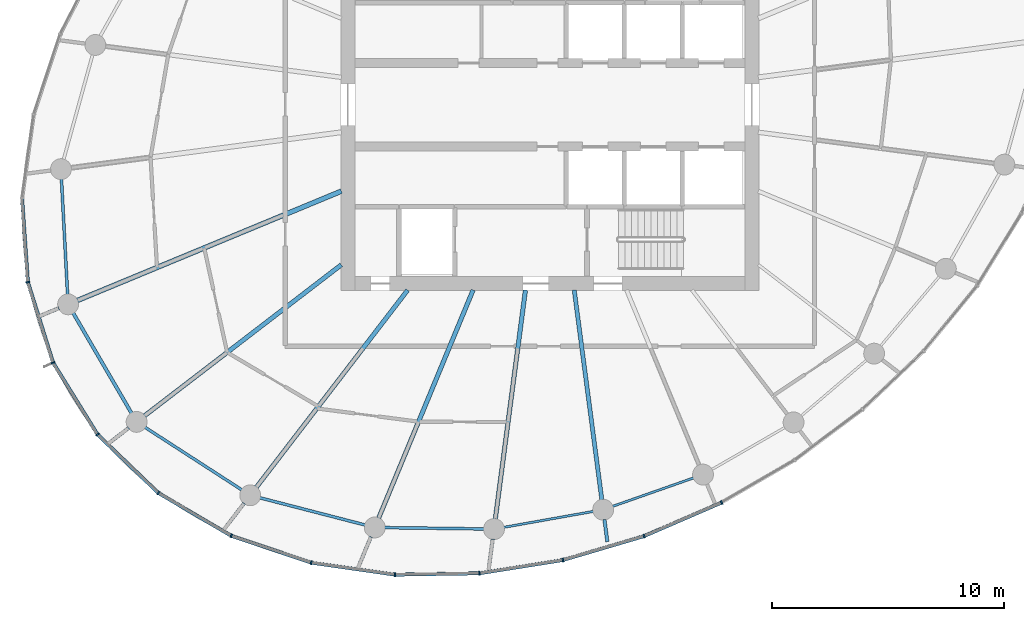
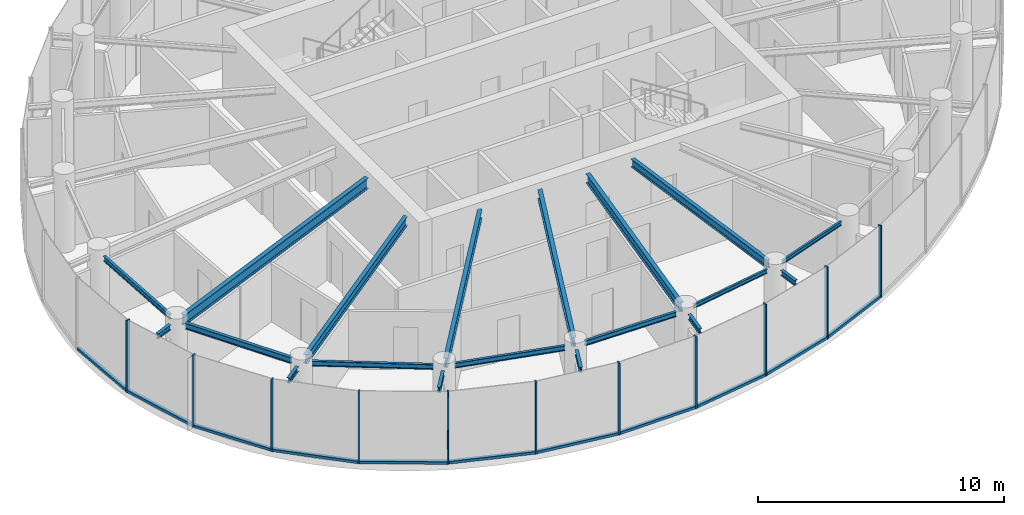
# One storey, part 2 of 15: 22 members, 19 beams, 3 elements without a shape of their own.
"""IFC4 building model written with IfcOpenShell, lengths in metres."""

from ifc_helpers import new_model, si_unit, direction, frame, origin, origin_2d, place, context, subcontext, project, spatial, rectangle, i_section, extrude, source, transform, mapped, material, layer, layer_set, material_profile, profile_set, type_object, element, aggregate, save


model = new_model("IFC4")

# Units and contexts
model_context = context("Model", 3, precision=1e-05, world=origin(), true_north=direction((0.0, 1.0)))
body_context = subcontext(model_context, "Body", "Model", "MODEL_VIEW")
ifc_project = project(units=[si_unit("LENGTHUNIT", "METRE"), si_unit("AREAUNIT", "SQUARE_METRE"), si_unit("VOLUMEUNIT", "CUBIC_METRE"), si_unit("PLANEANGLEUNIT", "RADIAN"), si_unit("MASSUNIT", "GRAM", prefix="KILO")], contexts=[model_context])

# Site, building, storey
site_placement = place(None, origin())
site = spatial("IfcSite", under=ifc_project, at=site_placement, CompositionType="ELEMENT")
building_placement = place(site_placement, origin())
building = spatial("IfcBuilding", under=site, at=building_placement, Name="Spindrift Exchange Tower", CompositionType="ELEMENT")
storey_placement = place(building_placement, frame((0.0, 0.0, 199.39990234375)))
storey = spatial("IfcBuildingStorey", under=building, at=storey_placement, Name="L48", CompositionType="ELEMENT", Elevation=199.39990234375)

# Beams
ifc_material_1 = material(Name="Steel Grade 300", Category="steel")
ifc_material_profile_1 = material_profile(ifc_material_1, i_section(OverallWidth=0.14599609375, OverallDepth=0.251953125, WebThickness=0.006103515625, FlangeThickness=0.008544921875, FilletRadius=0.011962890625, at=origin_2d()), Name="250UB31.4")
ifc_profile_set_1 = profile_set([ifc_material_profile_1], Name="Steel Grade 300")
beam_type_1 = type_object("IfcBeamType", Name="Cantilever Beam 250UB31.4 Steel Grade 300", PredefinedType="BEAM", material=ifc_profile_set_1)
shared_shape_1 = source(origin(), body_context, "Body", "SweptSolid", [
    extrude(i_section(OverallWidth=0.14599609375, OverallDepth=0.251953125, WebThickness=0.006103515625, FlangeThickness=0.008544921875, FilletRadius=0.011962890625, at=origin_2d()), origin(), (0.0, 0.0, 1.0), 0.95166015625),
])
beam_1_placement = place(storey_placement, frame((33.856689453125, 34.078125, 3.4541015625), z_axis=(-0.793300680677, -0.608830050209, 0.0), x_axis=(0.608830050209, -0.793300680677, 0.0)))
element("IfcBeam", 1, at=beam_1_placement, inside=storey, type_object=beam_type_1, Name="L48 cantilever beam R15T", PredefinedType="BEAM", context=body_context, shape_type="MappedRepresentation", body=[
    mapped(shared_shape_1, transform((0.0, 0.0, 0.0), scale=1.0)),
])
shared_shape_2 = source(origin(), body_context, "Body", "SweptSolid", [
    extrude(i_section(OverallWidth=0.14599609375, OverallDepth=0.251953125, WebThickness=0.006103515625, FlangeThickness=0.008544921875, FilletRadius=0.011962890625, at=origin_2d()), origin(), (0.0, 0.0, 1.0), 0.859619140625),
])
beam_2_placement = place(storey_placement, frame((30.849609375, 39.2392578125, 3.4541015625), z_axis=(-0.923923380362, -0.382577557131, 0.0), x_axis=(0.382577557131, -0.923923380362, 0.0)))
element("IfcBeam", 2, at=beam_2_placement, inside=storey, type_object=beam_type_1, Name="L48 cantilever beam R14T", PredefinedType="BEAM", context=body_context, shape_type="MappedRepresentation", body=[
    mapped(shared_shape_2, transform((0.0, 0.0, 0.0), scale=1.0)),
])
ifc_material_profile_2 = material_profile(ifc_material_1, i_section(OverallWidth=0.208984375, OverallDepth=0.528076171875, WebThickness=0.009521484375, FlangeThickness=0.01318359375, FilletRadius=0.013916015625, at=origin_2d()), Name="530UB82.0")
ifc_profile_set_2 = profile_set([ifc_material_profile_2], Name="Steel Grade 300")
beam_type_2 = type_object("IfcBeamType", Name="Floor Beam 530UB82.0 Steel Grade 300", PredefinedType="BEAM", material=ifc_profile_set_2)
shared_shape_3 = source(origin(), body_context, "Body", "SweptSolid", [
    extrude(i_section(OverallWidth=0.208984375, OverallDepth=0.528076171875, WebThickness=0.009521484375, FlangeThickness=0.01318359375, FilletRadius=0.013916015625, at=origin_2d()), origin(), (0.0, 0.0, 1.0), 12.3115234375),
])
beam_3_placement = place(storey_placement, frame((43.0185546875, 44.27978515625, 3.316162109375), z_axis=(-0.923878099838, -0.382686891126, 0.0), x_axis=(0.382686891126, -0.923878099838, 0.0)))
element("IfcBeam", 3, at=beam_3_placement, inside=storey, type_object=beam_type_2, Name="L48 radial beam R14A", PredefinedType="BEAM", context=body_context, shape_type="MappedRepresentation", body=[
    mapped(shared_shape_3, transform((0.0, 0.0, 0.0), scale=1.0)),
])
ifc_material_profile_3 = material_profile(ifc_material_1, i_section(OverallWidth=0.18994140625, OverallDepth=0.4541015625, WebThickness=0.008544921875, FlangeThickness=0.0126953125, FilletRadius=0.013916015625, at=origin_2d()), Name="460UB67.1")
ifc_profile_set_3 = profile_set([ifc_material_profile_3], Name="Steel Grade 300")
beam_type_3 = type_object("IfcBeamType", Name="Floor Beam 460UB67.1 Steel Grade 300", PredefinedType="BEAM", material=ifc_profile_set_3)
shared_shape_4 = source(origin(), body_context, "Body", "SweptSolid", [
    extrude(i_section(OverallWidth=0.18994140625, OverallDepth=0.4541015625, WebThickness=0.008544921875, FlangeThickness=0.0126953125, FilletRadius=0.013916015625, at=origin_2d()), origin(), (0.0, 0.0, 1.0), 10.684814453125),
])
beam_4_placement = place(storey_placement, frame((43.015869140625, 41.106201171875, 3.35302734375), z_axis=(-0.793357316898, -0.608756246559, 0.0), x_axis=(0.608756246559, -0.793357316898, 0.0)))
element("IfcBeam", 4, at=beam_4_placement, inside=storey, type_object=beam_type_3, Name="L48 radial beam R15A", PredefinedType="BEAM", context=body_context, shape_type="MappedRepresentation", body=[
    mapped(shared_shape_4, transform((0.0, 0.0, 0.0), scale=1.0)),
])
shared_shape_5 = source(origin(), body_context, "Body", "SweptSolid", [
    extrude(i_section(OverallWidth=0.18994140625, OverallDepth=0.4541015625, WebThickness=0.008544921875, FlangeThickness=0.0126953125, FilletRadius=0.013916015625, at=origin_2d()), origin(), (0.0, 0.0, 1.0), 10.711181640625),
])
beam_5_placement = place(storey_placement, frame((45.87353515625, 40.015869140625, 3.35302734375), z_axis=(-0.608756401092, -0.793357198322, 0.0), x_axis=(0.793357198322, -0.608756401092, 0.0)))
element("IfcBeam", 5, at=beam_5_placement, inside=storey, type_object=beam_type_3, Name="L48 radial beam R16A", PredefinedType="BEAM", context=body_context, shape_type="MappedRepresentation", body=[
    mapped(shared_shape_5, transform((0.0, 0.0, 0.0), scale=1.0)),
])
shared_shape_6 = source(origin(), body_context, "Body", "SweptSolid", [
    extrude(i_section(OverallWidth=0.18994140625, OverallDepth=0.4541015625, WebThickness=0.008544921875, FlangeThickness=0.0126953125, FilletRadius=0.013916015625, at=origin_2d()), origin(), (0.0, 0.0, 1.0), 10.64111328125),
])
beam_6_placement = place(storey_placement, frame((48.69384765625, 40.0185546875, 3.35302734375), z_axis=(-0.382672627597, -0.923884007919, 0.0), x_axis=(0.923884007919, -0.382672627597, 0.0)))
element("IfcBeam", 6, at=beam_6_placement, inside=storey, type_object=beam_type_3, Name="L48 radial beam R17A", PredefinedType="BEAM", context=body_context, shape_type="MappedRepresentation", body=[
    mapped(shared_shape_6, transform((0.0, 0.0, 0.0), scale=1.0)),
])
shared_shape_7 = source(origin(), body_context, "Body", "SweptSolid", [
    extrude(i_section(OverallWidth=0.18994140625, OverallDepth=0.4541015625, WebThickness=0.008544921875, FlangeThickness=0.0126953125, FilletRadius=0.013916015625, at=origin_2d()), origin(), (0.0, 0.0, 1.0), 9.95703125),
])
beam_7_placement = place(storey_placement, frame((50.949462890625, 40.019775390625, 3.35302734375), z_axis=(-0.130541406635, -0.991442858239, 0.0), x_axis=(0.991442858239, -0.130541406635, 0.0)))
element("IfcBeam", 7, at=beam_7_placement, inside=storey, type_object=beam_type_3, Name="L48 radial beam R18A", PredefinedType="BEAM", context=body_context, shape_type="MappedRepresentation", body=[
    mapped(shared_shape_7, transform((0.0, 0.0, 0.0), scale=1.0)),
])
ifc_material_profile_4 = material_profile(ifc_material_1, i_section(OverallWidth=0.177978515625, OverallDepth=0.403076171875, WebThickness=0.007568359375, FlangeThickness=0.010986328125, FilletRadius=0.013916015625, at=origin_2d()), Name="410UB53.7")
ifc_profile_set_4 = profile_set([ifc_material_profile_4], Name="Steel Grade 300")
beam_type_4 = type_object("IfcBeamType", Name="Floor Beam 410UB53.7 Steel Grade 300", PredefinedType="BEAM", material=ifc_profile_set_4)
shared_shape_8 = source(origin(), body_context, "Body", "SweptSolid", [
    extrude(i_section(OverallWidth=0.177978515625, OverallDepth=0.403076171875, WebThickness=0.007568359375, FlangeThickness=0.010986328125, FilletRadius=0.013916015625, at=origin_2d()), origin(), (0.0, 0.0, 1.0), 9.11376953125),
])
beam_8_placement = place(storey_placement, frame((53.050537109375, 40.019775390625, 3.378662109375), z_axis=(0.130536972606, -0.991443442049, 0.0), x_axis=(0.991443442049, 0.130536972606, 0.0)))
element("IfcBeam", 8, at=beam_8_placement, inside=storey, type_object=beam_type_4, Name="L48 radial beam R19A", PredefinedType="BEAM", context=body_context, shape_type="MappedRepresentation", body=[
    mapped(shared_shape_8, transform((0.0, 0.0, 0.0), scale=1.0)),
])
ifc_material_profile_5 = material_profile(ifc_material_1, i_section(OverallWidth=0.1240234375, OverallDepth=0.248046875, WebThickness=0.0048828125, FlangeThickness=0.008056640625, FilletRadius=0.011962890625, at=origin_2d()), Name="250UB25.7")
ifc_profile_set_5 = profile_set([ifc_material_profile_5], Name="Steel Grade 300")
beam_type_5 = type_object("IfcBeamType", Name="Edge Beam 250UB25.7 Steel Grade 300", PredefinedType="SPANDREL", material=ifc_profile_set_5)
shared_shape_9 = source(origin(), body_context, "Body", "SweptSolid", [
    extrude(i_section(OverallWidth=0.1240234375, OverallDepth=0.248046875, WebThickness=0.0048828125, FlangeThickness=0.008056640625, FilletRadius=0.011962890625, at=origin_2d()), origin(), (0.0, 0.0, 1.0), 4.971435546875),
])
beam_9_placement = place(storey_placement, frame((30.96044921875, 44.797607421875, 3.4560546875), z_axis=(0.053038255124, -0.998592481192, 0.0), x_axis=(0.998592481192, 0.053038255124, 0.0)))
element("IfcBeam", 9, at=beam_9_placement, inside=storey, type_object=beam_type_5, Name="L48 edge beam E13", PredefinedType="SPANDREL", context=body_context, shape_type="MappedRepresentation", body=[
    mapped(shared_shape_9, transform((0.0, 0.0, 0.0), scale=1.0)),
])
ifc_material_profile_6 = material_profile(ifc_material_1, i_section(OverallWidth=0.14892578125, OverallDepth=0.298095703125, WebThickness=0.005615234375, FlangeThickness=0.008056640625, FilletRadius=0.012939453125, at=origin_2d()), Name="310UB32.0")
ifc_profile_set_6 = profile_set([ifc_material_profile_6], Name="Steel Grade 300")
beam_type_6 = type_object("IfcBeamType", Name="Edge Beam 310UB32.0 Steel Grade 300", PredefinedType="SPANDREL", material=ifc_profile_set_6)
shared_shape_10 = source(origin(), body_context, "Body", "SweptSolid", [
    extrude(i_section(OverallWidth=0.14892578125, OverallDepth=0.298095703125, WebThickness=0.005615234375, FlangeThickness=0.008056640625, FilletRadius=0.012939453125, at=origin_2d()), origin(), (0.0, 0.0, 1.0), 5.0009765625),
])
beam_10_placement = place(storey_placement, frame((31.46337890625, 39.0322265625, 3.43115234375), z_axis=(0.503512812094, -0.863987759205, 0.0), x_axis=(0.863987759205, 0.503512812094, 0.0)))
element("IfcBeam", 10, at=beam_10_placement, inside=storey, type_object=beam_type_6, Name="L48 edge beam E14", PredefinedType="SPANDREL", context=body_context, shape_type="MappedRepresentation", body=[
    mapped(shared_shape_10, transform((0.0, 0.0, 0.0), scale=1.0)),
])
shared_shape_11 = source(origin(), body_context, "Body", "SweptSolid", [
    extrude(i_section(OverallWidth=0.1240234375, OverallDepth=0.248046875, WebThickness=0.0048828125, FlangeThickness=0.008056640625, FilletRadius=0.011962890625, at=origin_2d()), origin(), (0.0, 0.0, 1.0), 4.966552734375),
])
beam_11_placement = place(storey_placement, frame((34.55908203125, 34.106689453125, 3.4560546875), z_axis=(0.839802198579, -0.54289250065, 0.0), x_axis=(0.54289250065, 0.839802198579, 0.0)))
element("IfcBeam", 11, at=beam_11_placement, inside=storey, type_object=beam_type_5, Name="L48 edge beam E15", PredefinedType="SPANDREL", context=body_context, shape_type="MappedRepresentation", body=[
    mapped(shared_shape_11, transform((0.0, 0.0, 0.0), scale=1.0)),
])
shared_shape_12 = source(origin(), body_context, "Body", "SweptSolid", [
    extrude(i_section(OverallWidth=0.1240234375, OverallDepth=0.248046875, WebThickness=0.0048828125, FlangeThickness=0.008056640625, FilletRadius=0.011962890625, at=origin_2d()), origin(), (0.0, 0.0, 1.0), 4.682373046875),
])
beam_12_placement = place(storey_placement, frame((39.507568359375, 31.0693359375, 3.4560546875), z_axis=(0.968201586176, -0.250171318352, 0.0), x_axis=(0.250171318352, 0.968201586176, 0.0)))
element("IfcBeam", 12, at=beam_12_placement, inside=storey, type_object=beam_type_5, Name="L48 edge beam E16", PredefinedType="SPANDREL", context=body_context, shape_type="MappedRepresentation", body=[
    mapped(shared_shape_12, transform((0.0, 0.0, 0.0), scale=1.0)),
])
shared_shape_13 = source(origin(), body_context, "Body", "SweptSolid", [
    extrude(i_section(OverallWidth=0.1240234375, OverallDepth=0.248046875, WebThickness=0.0048828125, FlangeThickness=0.008056640625, FilletRadius=0.011962890625, at=origin_2d()), origin(), (0.0, 0.0, 1.0), 4.27685546875),
])
beam_13_placement = place(storey_placement, frame((44.88720703125, 29.78466796875, 3.4560546875), z_axis=(0.999910013527, -0.013415097807, 0.0), x_axis=(0.013415097807, 0.999910013527, 0.0)))
element("IfcBeam", 13, at=beam_13_placement, inside=storey, type_object=beam_type_5, Name="L48 edge beam E17", PredefinedType="SPANDREL", context=body_context, shape_type="MappedRepresentation", body=[
    mapped(shared_shape_13, transform((0.0, 0.0, 0.0), scale=1.0)),
])
ifc_material_profile_7 = material_profile(ifc_material_1, i_section(OverallWidth=0.09912109375, OverallDepth=0.197998046875, WebThickness=0.00439453125, FlangeThickness=0.007080078125, FilletRadius=0.010986328125, at=origin_2d()), Name="200UB18.2")
ifc_profile_set_7 = profile_set([ifc_material_profile_7], Name="Steel Grade 300")
beam_type_7 = type_object("IfcBeamType", Name="Edge Beam 200UB18.2 Steel Grade 300", PredefinedType="SPANDREL", material=ifc_profile_set_7)
shared_shape_14 = source(origin(), body_context, "Body", "SweptSolid", [
    extrude(i_section(OverallWidth=0.09912109375, OverallDepth=0.197998046875, WebThickness=0.00439453125, FlangeThickness=0.007080078125, FilletRadius=0.010986328125, at=origin_2d()), origin(), (0.0, 0.0, 1.0), 3.916259765625),
])
beam_14_placement = place(storey_placement, frame((50.01708984375, 29.796875, 3.481201171875), z_axis=(0.984558687682, 0.175054821441, 0.0), x_axis=(-0.175054821441, 0.984558687682, 0.0)))
element("IfcBeam", 14, at=beam_14_placement, inside=storey, type_object=beam_type_7, Name="L48 edge beam E18", PredefinedType="SPANDREL", context=body_context, shape_type="MappedRepresentation", body=[
    mapped(shared_shape_14, transform((0.0, 0.0, 0.0), scale=1.0)),
])
shared_shape_15 = source(origin(), body_context, "Body", "SweptSolid", [
    extrude(i_section(OverallWidth=0.09912109375, OverallDepth=0.197998046875, WebThickness=0.00439453125, FlangeThickness=0.007080078125, FilletRadius=0.010986328125, at=origin_2d()), origin(), (0.0, 0.0, 1.0), 3.700439453125),
])
beam_15_placement = place(storey_placement, frame((54.701904296875, 30.699951171875, 3.481201171875), z_axis=(0.943515334916, 0.331328858957, 0.0), x_axis=(-0.331328858957, 0.943515334916, 0.0)))
element("IfcBeam", 15, at=beam_15_placement, inside=storey, type_object=beam_type_7, Name="L48 edge beam E19", PredefinedType="SPANDREL", context=body_context, shape_type="MappedRepresentation", body=[
    mapped(shared_shape_15, transform((0.0, 0.0, 0.0), scale=1.0)),
])
shared_shape_16 = source(origin(), body_context, "Body", "SweptSolid", [
    extrude(i_section(OverallWidth=0.14599609375, OverallDepth=0.251953125, WebThickness=0.006103515625, FlangeThickness=0.008544921875, FilletRadius=0.011962890625, at=origin_2d()), origin(), (0.0, 0.0, 1.0), 1.241455078125),
])
beam_16_placement = place(storey_placement, frame((38.829345703125, 30.835693359375, 3.4541015625), z_axis=(-0.608712274702, -0.793391055298, 0.0), x_axis=(0.793391055298, -0.608712274702, 0.0)))
element("IfcBeam", 16, at=beam_16_placement, inside=storey, type_object=beam_type_1, Name="L48 cantilever beam R16T", PredefinedType="BEAM", context=body_context, shape_type="MappedRepresentation", body=[
    mapped(shared_shape_16, transform((0.0, 0.0, 0.0), scale=1.0)),
])
shared_shape_17 = source(origin(), body_context, "Body", "SweptSolid", [
    extrude(i_section(OverallWidth=0.14599609375, OverallDepth=0.251953125, WebThickness=0.006103515625, FlangeThickness=0.008544921875, FilletRadius=0.011962890625, at=origin_2d()), origin(), (0.0, 0.0, 1.0), 1.282958984375),
])
beam_17_placement = place(storey_placement, frame((44.292724609375, 29.39306640625, 3.4541015625), z_axis=(-0.382682320503, -0.923879993059, 0.0), x_axis=(0.923879993059, -0.382682320503, 0.0)))
element("IfcBeam", 17, at=beam_17_placement, inside=storey, type_object=beam_type_1, Name="L48 cantilever beam R17T", PredefinedType="BEAM", context=body_context, shape_type="MappedRepresentation", body=[
    mapped(shared_shape_17, transform((0.0, 0.0, 0.0), scale=1.0)),
])
shared_shape_18 = source(origin(), body_context, "Body", "SweptSolid", [
    extrude(i_section(OverallWidth=0.14599609375, OverallDepth=0.251953125, WebThickness=0.006103515625, FlangeThickness=0.008544921875, FilletRadius=0.011962890625, at=origin_2d()), origin(), (0.0, 0.0, 1.0), 1.15380859375),
])
beam_18_placement = place(storey_placement, frame((49.53759765625, 29.29541015625, 3.4541015625), z_axis=(-0.130542080409, -0.991442769525, 0.0), x_axis=(0.991442769525, -0.130542080409, 0.0)))
element("IfcBeam", 18, at=beam_18_placement, inside=storey, type_object=beam_type_1, Name="L48 cantilever beam R18T", PredefinedType="BEAM", context=body_context, shape_type="MappedRepresentation", body=[
    mapped(shared_shape_18, transform((0.0, 0.0, 0.0), scale=1.0)),
])
shared_shape_19 = source(origin(), body_context, "Body", "SweptSolid", [
    extrude(i_section(OverallWidth=0.14599609375, OverallDepth=0.251953125, WebThickness=0.006103515625, FlangeThickness=0.008544921875, FilletRadius=0.011962890625, at=origin_2d()), origin(), (0.0, 0.0, 1.0), 0.9619140625),
])
beam_19_placement = place(storey_placement, frame((54.3525390625, 30.131103515625, 3.4541015625), z_axis=(0.130467644579, -0.991452567558, 0.0), x_axis=(0.991452567558, 0.130467644579, 0.0)))
element("IfcBeam", 19, at=beam_19_placement, inside=storey, type_object=beam_type_1, Name="L48 cantilever beam R19T", PredefinedType="BEAM", context=body_context, shape_type="MappedRepresentation", body=[
    mapped(shared_shape_19, transform((0.0, 0.0, 0.0), scale=1.0)),
])

# Curtain wall, members
ifc_material_2 = material(Name="Fritted laminated glass with bronze frame", Category="glass")
ifc_layer = layer(ifc_material_2, 0.169921875)
ifc_layer_set = layer_set([ifc_layer], Name="ZONE 4 BRONZE FRITTED WALL")
curtain_wall_type = type_object("IfcCurtainWallType", Name="ZONE 4 BRONZE FRITTED WALL", PredefinedType="NOTDEFINED", material=ifc_layer_set)
curtain_wall_1_placement = place(storey_placement, origin())
curtain_wall_1 = element("IfcCurtainWall", 20, at=curtain_wall_1_placement, inside=storey, type_object=curtain_wall_type, Name="L48 Zone 4 Bronze Fritted Wall run 5", PredefinedType="NOTDEFINED")
ifc_material_3 = material(Name="Bronze anodised aluminium", Category="aluminium")
ifc_material_profile_8 = material_profile(ifc_material_3, rectangle(XDim=0.14990234375, YDim=0.125, at=origin_2d()), Name="ZONE 4 BRONZE FRITTED WALL TRANSOM 150X125")
ifc_profile_set_8 = profile_set([ifc_material_profile_8], Name="Bronze anodised aluminium")
member_type_1 = type_object("IfcMemberType", Name="ZONE 4 BRONZE FRITTED WALL TRANSOM 150X125", PredefinedType="USERDEFINED", material=ifc_profile_set_8)
shared_shape_20 = source(origin(), body_context, "Body", "SweptSolid", [
    extrude(rectangle(XDim=0.14990234375, YDim=0.125, at=origin_2d()), origin(), (0.0, 0.0, 1.0), 3.577880859375),
])
member_1_placement = place(storey_placement, frame((56.086181640625, 29.429931640625, 0.0625), z_axis=(0.917873160434, 0.39687386076, 0.0), x_axis=(-0.39687386076, 0.917873160434, 0.0)))
member_1 = element("IfcMember", 21, at=member_1_placement, type_object=member_type_1, Name="L48 transom CW-4.27", ObjectType="TRANSOM", PredefinedType="USERDEFINED", context=body_context, shape_type="MappedRepresentation", body=[
    mapped(shared_shape_20, transform((0.0, 0.0, 0.0), scale=1.0)),
])
shared_shape_21 = source(origin(), body_context, "Body", "SweptSolid", [
    extrude(rectangle(XDim=0.14990234375, YDim=0.125, at=origin_2d()), origin(), (0.0, 0.0, 1.0), 3.5771484375),
])
member_2_placement = place(storey_placement, frame((48.99755859375, 27.821044921875, 0.0625), z_axis=(0.987635360734, 0.156768600899, 0.0), x_axis=(-0.156768600899, 0.987635360734, 0.0)))
member_2 = element("IfcMember", 22, at=member_2_placement, type_object=member_type_1, Name="L48 transom CW-4.25", ObjectType="TRANSOM", PredefinedType="USERDEFINED", context=body_context, shape_type="MappedRepresentation", body=[
    mapped(shared_shape_21, transform((0.0, 0.0, 0.0), scale=1.0)),
])

# Curtain wall, member
curtain_wall_2_placement = place(storey_placement, origin())
curtain_wall_2 = element("IfcCurtainWall", 23, at=curtain_wall_2_placement, inside=storey, type_object=curtain_wall_type, Name="L48 Zone 4 Bronze Fritted Wall run 3", PredefinedType="NOTDEFINED")
shared_shape_22 = source(origin(), body_context, "Body", "SweptSolid", [
    extrude(rectangle(XDim=0.14990234375, YDim=0.125, at=origin_2d()), origin(), (0.0, 0.0, 1.0), 3.57080078125),
])
member_3_placement = place(storey_placement, frame((29.523193359375, 40.325927734375, 0.0625), z_axis=(0.298843307767, -0.954302193963, 0.0), x_axis=(0.954302193963, 0.298843307767, 0.0)))
member_3 = element("IfcMember", 24, at=member_3_placement, type_object=member_type_1, Name="L48 transom CW-4.18", ObjectType="TRANSOM", PredefinedType="USERDEFINED", context=body_context, shape_type="MappedRepresentation", body=[
    mapped(shared_shape_22, transform((0.0, 0.0, 0.0), scale=1.0)),
])

# Curtain wall, members
curtain_wall_3_placement = place(storey_placement, origin())
curtain_wall_3 = element("IfcCurtainWall", 25, at=curtain_wall_3_placement, inside=storey, type_object=curtain_wall_type, Name="L48 Zone 4 Bronze Fritted Wall run 4", PredefinedType="NOTDEFINED")
member_4_placement = place(storey_placement, frame((32.537109375, 33.774169921875, 0.0625), z_axis=(0.721051125915, -0.692881861371, 0.0), x_axis=(0.692881861371, 0.721051125915, 0.0)))
member_4 = element("IfcMember", 26, at=member_4_placement, type_object=member_type_1, Name="L48 transom CW-4.20", ObjectType="TRANSOM", PredefinedType="USERDEFINED", context=body_context, shape_type="MappedRepresentation", body=[
    mapped(shared_shape_22, transform((0.0, 0.0, 0.0), scale=1.0)),
])
shared_shape_23 = source(origin(), body_context, "Body", "SweptSolid", [
    extrude(rectangle(XDim=0.14990234375, YDim=0.125, at=origin_2d()), origin(), (0.0, 0.0, 1.0), 3.570068359375),
])
member_5_placement = place(storey_placement, frame((30.6171875, 36.859619140625, 0.0625), z_axis=(0.526422885185, -0.850222880164, 0.0), x_axis=(0.850222880164, 0.526422885185, 0.0)))
member_5 = element("IfcMember", 27, at=member_5_placement, type_object=member_type_1, Name="L48 transom CW-4.19", ObjectType="TRANSOM", PredefinedType="USERDEFINED", context=body_context, shape_type="MappedRepresentation", body=[
    mapped(shared_shape_23, transform((0.0, 0.0, 0.0), scale=1.0)),
])

# Member
shared_shape_24 = source(origin(), body_context, "Body", "SweptSolid", [
    extrude(rectangle(XDim=0.14990234375, YDim=0.125, at=origin_2d()), origin(), (0.0, 0.0, 1.0), 3.577392578125),
])
member_6_placement = place(storey_placement, frame((52.59375, 28.39599609375, 0.0625), z_axis=(0.959177290085, 0.282805456429, 0.0), x_axis=(-0.282805456429, 0.959177290085, 0.0)))
member_6 = element("IfcMember", 28, at=member_6_placement, type_object=member_type_1, Name="L48 transom CW-4.26", ObjectType="TRANSOM", PredefinedType="USERDEFINED", context=body_context, shape_type="MappedRepresentation", body=[
    mapped(shared_shape_24, transform((0.0, 0.0, 0.0), scale=1.0)),
])

ifc_material_profile_9 = material_profile(ifc_material_3, rectangle(XDim=0.06494140625, YDim=0.169921875, at=origin_2d()), Name="ZONE 4 BRONZE FRITTED WALL MULLION 65X170")
ifc_profile_set_9 = profile_set([ifc_material_profile_9], Name="Bronze anodised aluminium")
member_type_2 = type_object("IfcMemberType", Name="ZONE 4 BRONZE FRITTED WALL MULLION 65X170", PredefinedType="MULLION", material=ifc_profile_set_9)
shared_shape_25 = source(origin(), body_context, "Body", "SweptSolid", [
    extrude(rectangle(XDim=0.06494140625, YDim=0.169921875, at=origin_2d()), origin(), (0.0, 0.0, 1.0), 3.580078125),
])
member_7_placement = place(storey_placement, frame((29.513427734375, 40.35693359375, 0.0), z_axis=(0.0, 0.0, 1.0), x_axis=(0.185462777997, -0.982651290122, 0.0)))
member_7 = element("IfcMember", 29, at=member_7_placement, type_object=member_type_2, Name="L48 mullion CW-4.18", PredefinedType="MULLION", context=body_context, shape_type="MappedRepresentation", body=[
    mapped(shared_shape_25, transform((0.0, 0.0, 0.0), scale=1.0)),
])

member_8_placement = place(storey_placement, frame((30.60009765625, 36.88720703125, 0.0), z_axis=(0.0, 0.0, 1.0), x_axis=(0.415914420725, -0.909403757763, 0.0)))
member_8 = element("IfcMember", 30, at=member_8_placement, type_object=member_type_2, Name="L48 mullion CW-4.19", PredefinedType="MULLION", context=body_context, shape_type="MappedRepresentation", body=[
    mapped(shared_shape_25, transform((0.0, 0.0, 0.0), scale=1.0)),
])

member_9_placement = place(storey_placement, frame((32.513671875, 33.796630859375, 0.0), z_axis=(0.0, 0.0, 1.0), x_axis=(0.628679874371, -0.777664204886, 0.0)))
member_9 = element("IfcMember", 31, at=member_9_placement, type_object=member_type_2, Name="L48 mullion CW-4.20", PredefinedType="MULLION", context=body_context, shape_type="MappedRepresentation", body=[
    mapped(shared_shape_25, transform((0.0, 0.0, 0.0), scale=1.0)),
])

member_10_placement = place(storey_placement, frame((35.13525390625, 31.277587890625, 0.0), z_axis=(0.0, 0.0, 1.0), x_axis=(0.796972314226, -0.60401583618, 0.0)))
member_10 = element("IfcMember", 32, at=member_10_placement, type_object=member_type_2, Name="L48 mullion CW-4.21", PredefinedType="MULLION", context=body_context, shape_type="MappedRepresentation", body=[
    mapped(shared_shape_25, transform((0.0, 0.0, 0.0), scale=1.0)),
])

member_11_placement = place(storey_placement, frame((38.270751953125, 29.43359375, 0.0), z_axis=(0.0, 0.0, 1.0), x_axis=(0.909919003524, -0.414785977373, 0.0)))
member_11 = element("IfcMember", 33, at=member_11_placement, type_object=member_type_2, Name="L48 mullion CW-4.22", PredefinedType="MULLION", context=body_context, shape_type="MappedRepresentation", body=[
    mapped(shared_shape_25, transform((0.0, 0.0, 0.0), scale=1.0)),
])

member_12_placement = place(storey_placement, frame((41.720703125, 28.275634765625, 0.0), z_axis=(0.0, 0.0, 1.0), x_axis=(0.972917821737, -0.231151275461, 0.0)))
member_12 = element("IfcMember", 34, at=member_12_placement, type_object=member_type_2, Name="L48 mullion CW-4.23", PredefinedType="MULLION", context=body_context, shape_type="MappedRepresentation", body=[
    mapped(shared_shape_25, transform((0.0, 0.0, 0.0), scale=1.0)),
])

member_13_placement = place(storey_placement, frame((45.324462890625, 27.758056640625, 0.0), z_axis=(0.0, 0.0, 1.0), x_axis=(0.997992246235, -0.063336217557, 0.0)))
member_13 = element("IfcMember", 35, at=member_13_placement, type_object=member_type_2, Name="L48 mullion CW-4.24", PredefinedType="MULLION", context=body_context, shape_type="MappedRepresentation", body=[
    mapped(shared_shape_25, transform((0.0, 0.0, 0.0), scale=1.0)),
])

member_14_placement = place(storey_placement, frame((48.96533203125, 27.81591796875, 0.0), z_axis=(0.0, 0.0, 1.0), x_axis=(0.996247081344, 0.086554912706, 0.0)))
member_14 = element("IfcMember", 36, at=member_14_placement, type_object=member_type_2, Name="L48 mullion CW-4.25", PredefinedType="MULLION", context=body_context, shape_type="MappedRepresentation", body=[
    mapped(shared_shape_25, transform((0.0, 0.0, 0.0), scale=1.0)),
])

member_15_placement = place(storey_placement, frame((52.5625, 28.386962890625, 0.0), z_axis=(0.0, 0.0, 1.0), x_axis=(0.975447632437, 0.220231506314, 0.0)))
member_15 = element("IfcMember", 37, at=member_15_placement, type_object=member_type_2, Name="L48 mullion CW-4.26", PredefinedType="MULLION", context=body_context, shape_type="MappedRepresentation", body=[
    mapped(shared_shape_25, transform((0.0, 0.0, 0.0), scale=1.0)),
])

member_16_placement = place(storey_placement, frame((56.056396484375, 29.4169921875, 0.0), z_axis=(0.0, 0.0, 1.0), x_axis=(0.940257734047, 0.340463498138, 0.0)))
member_16 = element("IfcMember", 38, at=member_16_placement, type_object=member_type_2, Name="L48 mullion CW-4.27", PredefinedType="MULLION", context=body_context, shape_type="MappedRepresentation", body=[
    mapped(shared_shape_25, transform((0.0, 0.0, 0.0), scale=1.0)),
])

member_17_placement = place(storey_placement, frame((59.39990234375, 30.86279296875, 0.0), z_axis=(0.0, 0.0, 1.0), x_axis=(0.893040451288, 0.449976390895, 0.0)))
member_17 = element("IfcMember", 39, at=member_17_placement, type_object=member_type_2, Name="L48 mullion CW-4.28", PredefinedType="MULLION", context=body_context, shape_type="MappedRepresentation", body=[
    mapped(shared_shape_25, transform((0.0, 0.0, 0.0), scale=1.0)),
])

aggregate(curtain_wall_1, [member_14, member_2, member_15, member_6, member_16, member_1, member_17])

shared_shape_26 = source(origin(), body_context, "Body", "SweptSolid", [
    extrude(rectangle(XDim=0.14990234375, YDim=0.125, at=origin_2d()), origin(), (0.0, 0.0, 1.0), 3.57568359375),
])
member_18_placement = place(storey_placement, frame((41.7529296875, 28.27099609375, 0.0625), z_axis=(0.989844070004, -0.1421573673, 0.0), x_axis=(0.1421573673, 0.989844070004, 0.0)))
member_18 = element("IfcMember", 40, at=member_18_placement, type_object=member_type_1, Name="L48 transom CW-4.23", ObjectType="TRANSOM", PredefinedType="USERDEFINED", context=body_context, shape_type="MappedRepresentation", body=[
    mapped(shared_shape_26, transform((0.0, 0.0, 0.0), scale=1.0)),
])

shared_shape_27 = source(origin(), body_context, "Body", "SweptSolid", [
    extrude(rectangle(XDim=0.14990234375, YDim=0.125, at=origin_2d()), origin(), (0.0, 0.0, 1.0), 3.57421875),
])
member_19_placement = place(storey_placement, frame((38.301513671875, 29.42333984375, 0.0625), z_axis=(0.948032384453, -0.318173848749, 0.0), x_axis=(0.318173848749, 0.948032384453, 0.0)))
member_19 = element("IfcMember", 41, at=member_19_placement, type_object=member_type_1, Name="L48 transom CW-4.22", ObjectType="TRANSOM", PredefinedType="USERDEFINED", context=body_context, shape_type="MappedRepresentation", body=[
    mapped(shared_shape_27, transform((0.0, 0.0, 0.0), scale=1.0)),
])

shared_shape_28 = source(origin(), body_context, "Body", "SweptSolid", [
    extrude(rectangle(XDim=0.14990234375, YDim=0.125, at=origin_2d()), origin(), (0.0, 0.0, 1.0), 3.576416015625),
])
member_20_placement = place(storey_placement, frame((45.35693359375, 27.758544921875, 0.0625), z_axis=(0.999873496638, 0.015905682032, 0.0), x_axis=(-0.015905682032, 0.999873496638, 0.0)))
member_20 = element("IfcMember", 42, at=member_20_placement, type_object=member_type_1, Name="L48 transom CW-4.24", ObjectType="TRANSOM", PredefinedType="USERDEFINED", context=body_context, shape_type="MappedRepresentation", body=[
    mapped(shared_shape_28, transform((0.0, 0.0, 0.0), scale=1.0)),
])

shared_shape_29 = source(origin(), body_context, "Body", "SweptSolid", [
    extrude(rectangle(XDim=0.14990234375, YDim=0.125, at=origin_2d()), origin(), (0.0, 0.0, 1.0), 3.572265625),
])
member_21_placement = place(storey_placement, frame((29.262939453125, 43.953125, 0.0625), z_axis=(0.069503364139, -0.997581717141, 0.0), x_axis=(0.997581717141, 0.069503364139, 0.0)))
member_21 = element("IfcMember", 43, at=member_21_placement, type_object=member_type_1, Name="L48 transom CW-4.17", ObjectType="TRANSOM", PredefinedType="USERDEFINED", context=body_context, shape_type="MappedRepresentation", body=[
    mapped(shared_shape_29, transform((0.0, 0.0, 0.0), scale=1.0)),
])

aggregate(curtain_wall_2, [member_21, member_7, member_3])

member_22_placement = place(storey_placement, frame((35.163330078125, 31.260986328125, 0.0625), z_axis=(0.862006238591, -0.506897666822, 0.0), x_axis=(0.506897666822, 0.862006238591, 0.0)))
member_22 = element("IfcMember", 44, at=member_22_placement, type_object=member_type_1, Name="L48 transom CW-4.21", ObjectType="TRANSOM", PredefinedType="USERDEFINED", context=body_context, shape_type="MappedRepresentation", body=[
    mapped(shared_shape_29, transform((0.0, 0.0, 0.0), scale=1.0)),
])

aggregate(curtain_wall_3, [member_8, member_5, member_9, member_4, member_10, member_22, member_11, member_19, member_12, member_18, member_13, member_20])

save(model, "model.ifc")
